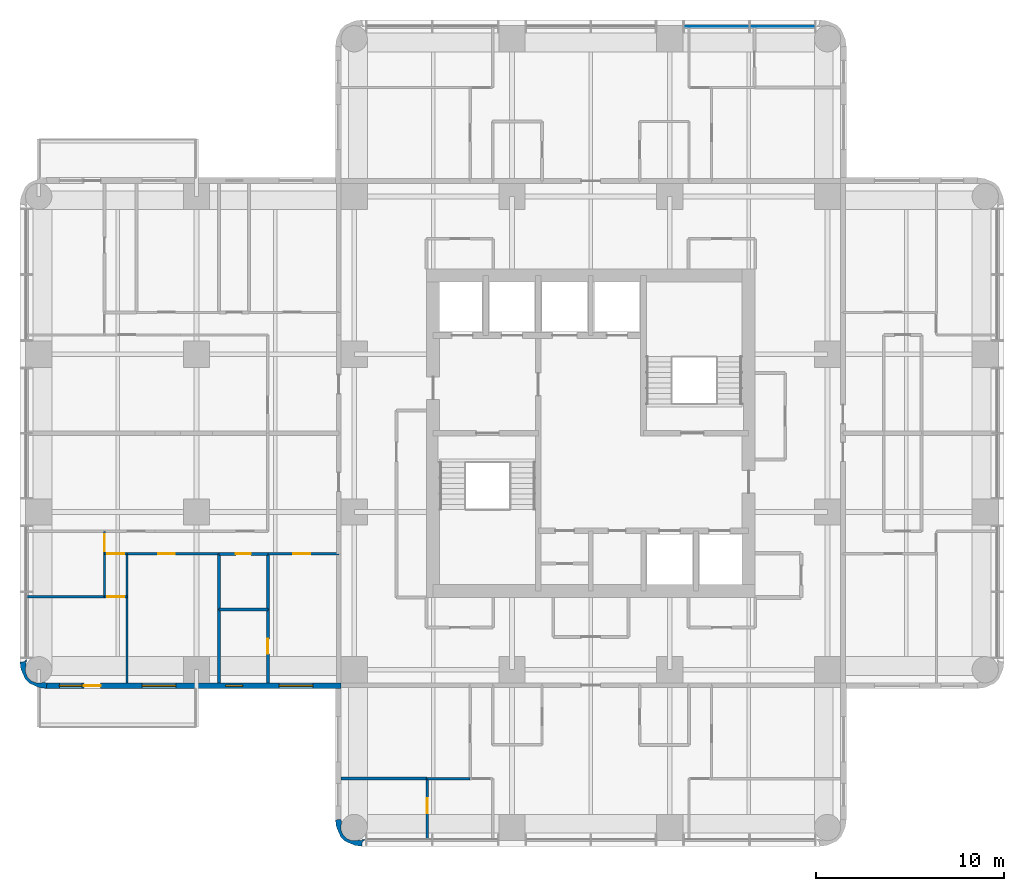
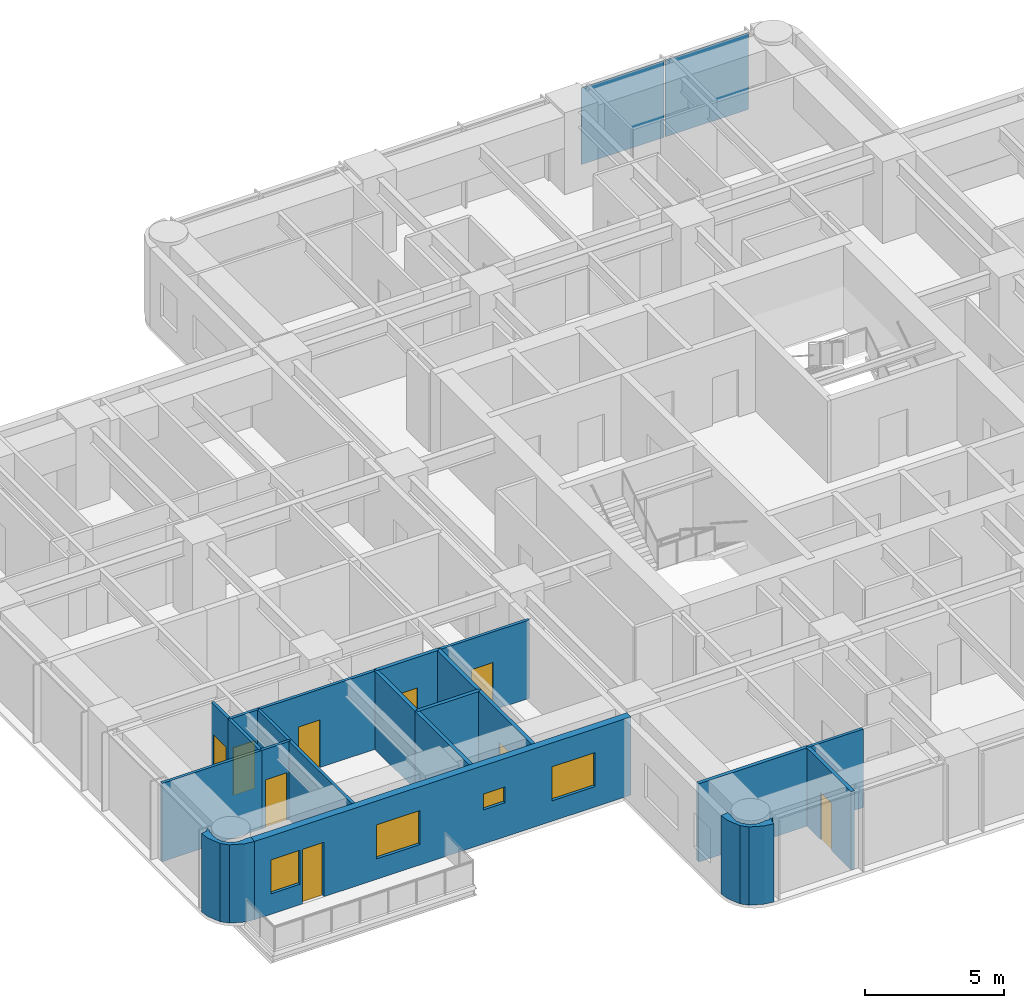
# One storey, part 4 of 11: 21 walls, 9 doors, 4 windows, 2 plates, 13 openings, 1 element without a shape of its own.
"""IFC4 building model written with IfcOpenShell, lengths in metres."""

from ifc_helpers import new_model, si_unit, direction, frame, frame_2d, origin, origin_2d, place, context, subcontext, project, spatial, polyline, rectangle, outline, extrude, material, layer, layer_set, type_object, element, fill, aggregate, save


model = new_model("IFC4")

# Units and contexts
model_context = context("Model", 3, precision=1e-05, world=origin(), true_north=direction((0.0, 1.0)))
body_context = subcontext(model_context, "Body", "Model", "MODEL_VIEW")
ifc_project = project(units=[si_unit("LENGTHUNIT", "METRE"), si_unit("AREAUNIT", "SQUARE_METRE"), si_unit("VOLUMEUNIT", "CUBIC_METRE"), si_unit("PLANEANGLEUNIT", "RADIAN"), si_unit("MASSUNIT", "GRAM", prefix="KILO")], contexts=[model_context])

# Site, building, storey
site_placement = place(None, origin())
site = spatial("IfcSite", under=ifc_project, at=site_placement, CompositionType="ELEMENT")
building_placement = place(site_placement, origin())
building = spatial("IfcBuilding", under=site, at=building_placement, Name="Torre Alcanfor", CompositionType="ELEMENT")
storey_placement = place(building_placement, frame((0.0, 0.0, 197.699951171875)))
storey = spatial("IfcBuildingStorey", under=building, at=storey_placement, Name="L51", CompositionType="ELEMENT", Elevation=197.699951171875)

# Curtain wall, plates
ifc_material_1 = material(Name="Aluminium and glass", Category="aluminium")
curtain_wall_type = type_object("IfcCurtainWallType", Name="CW-A unitised apartment glazing with vertical FIN", PredefinedType="NOTDEFINED", material=ifc_material_1)
curtain_wall_placement = place(storey_placement, origin())
curtain_wall = element("IfcCurtainWall", 1, at=curtain_wall_placement, inside=storey, type_object=curtain_wall_type, Name="Curtain wall CW-A L51 11", PredefinedType="NOTDEFINED")
ifc_material_2 = material(Name="Glass", Category="glass")
ifc_layer_1 = layer(ifc_material_2, 0.028076171875)
ifc_layer_set_1 = layer_set([ifc_layer_1], Name="CW-A clear double glazed unit")
plate_type = type_object("IfcPlateType", Name="CW-A clear double glazed unit", PredefinedType="CURTAIN_PANEL", material=ifc_layer_set_1)
plate_1_placement = place(storey_placement, frame((39.60107421875, 51.050048828125, 0.0), z_axis=(0.0, 0.0, 1.0), x_axis=(-1.0, 0.0, 0.0)))
plate_1 = element("IfcPlate", 2, at=plate_1_placement, type_object=plate_type, Name="CW-A panel 1.1.1", PredefinedType="CURTAIN_PANEL", context=body_context, shape_type="SweptSolid", body=[
    extrude(rectangle(XDim=3.444091796875, YDim=0.028076171875, at=origin_2d()), origin(), (0.0, 0.0, 1.0), 3.385009765625),
])
plate_2_placement = place(storey_placement, frame((36.092041015625, 51.050048828125, 0.0), z_axis=(0.0, 0.0, 1.0), x_axis=(-1.0, 0.0, 0.0)))
plate_2 = element("IfcPlate", 3, at=plate_2_placement, type_object=plate_type, Name="CW-A panel 1.2.1", PredefinedType="CURTAIN_PANEL", context=body_context, shape_type="SweptSolid", body=[
    extrude(rectangle(XDim=3.444091796875, YDim=0.028076171875, at=origin_2d()), origin(), (0.0, 0.0, 1.0), 3.385009765625),
])
aggregate(curtain_wall, [plate_1, plate_2])

# Wall
ifc_material_3 = material(Name="Gypsum board on steel studs", Category="steel")
ifc_layer_2 = layer(ifc_material_3, 0.1201171875)
ifc_layer_set_2 = layer_set([ifc_layer_2], Name="Apartment partition 120")
wall_type_1 = type_object("IfcWallType", Name="Apartment partition 120", PredefinedType="PARTITIONING", material=ifc_layer_set_2)
wall_1_placement = place(storey_placement, frame((20.68603515625, 11.0, 0.0), z_axis=(0.0, 0.0, 1.0), x_axis=(1.0, 0.0, 0.0)))
element("IfcWall", 4, at=wall_1_placement, inside=storey, type_object=wall_type_1, Name="Partition L51-SX-BED3 / L51-SX-BED1", PredefinedType="PARTITIONING", context=body_context, shape_type="SweptSolid", body=[
    extrude(rectangle(XDim=2.284912109375, YDim=0.1201171875, at=frame_2d((1.142578125, 0.0))), origin(), (0.0, 0.0, 1.0), 3.449951171875),
])

# Wall, opening, door
wall_2_placement = place(storey_placement, frame((12.199951171875, 22.970947265625, 0.0), z_axis=(0.0, 0.0, 1.0), x_axis=(1.0, 0.0, 0.0)))
wall_2 = element("IfcWall", 5, at=wall_2_placement, inside=storey, type_object=wall_type_1, Name="Partition L51-W1-HALL / L51-W1-SERV", PredefinedType="PARTITIONING", context=body_context, shape_type="SweptSolid", body=[
    extrude(rectangle(XDim=3.775146484375, YDim=0.1201171875, at=frame_2d((1.8876953125, 0.0))), origin(), (0.0, 0.0, 1.0), 3.449951171875),
])
opening_1_placement = place(wall_2_placement, frame((1.35009765625, 0.0, 0.0)))
opening_1 = element("IfcOpeningElement", 6, at=opening_1_placement, cuts=wall_2, Name="Opening D-R1", PredefinedType="OPENING", context=body_context, shape_type="SweptSolid", body=[
    extrude(rectangle(XDim=0.89990234375, YDim=2.10009765625, at=frame_2d((0.449951171875, 1.050048828125))), frame((0.0, 0.070068359375, 0.0), z_axis=(0.0, -1.0, 0.0), x_axis=(1.0, 0.0, 0.0)), (0.0, 0.0, 1.0), 0.14013671875),
])
ifc_material_4 = material(Name="Timber", Category="wood")
door_type_1 = type_object("IfcDoorType", Name="Internal door 900x2100", OperationType="SINGLE_SWING_LEFT", PredefinedType="DOOR", material=ifc_material_4)
door_1_placement = place(opening_1_placement, frame((0.89990234375, 0.0, 0.0), z_axis=(0.0, 0.0, 1.0), x_axis=(-1.0, 0.0, 0.0)))
door_1 = element("IfcDoor", 7, at=door_1_placement, inside=storey, type_object=door_type_1, Name="Door L51-W1 serv", OperationType="SINGLE_SWING_RIGHT", OverallHeight=2.10009765625, OverallWidth=0.89990234375, PredefinedType="DOOR", context=body_context, shape_type="SweptSolid", body=[
    extrude(rectangle(XDim=0.89990234375, YDim=2.10009765625, at=frame_2d((0.449951171875, 1.050048828125))), frame((0.0, 0.025146484375, 0.0), z_axis=(0.0, -1.0, 0.0), x_axis=(1.0, 0.0, 0.0)), (0.0, 0.0, 1.0), 0.050048828125),
])
fill(opening_1, door_1)

wall_3_placement = place(storey_placement, frame((4.699951171875, 22.970947265625, 0.0), z_axis=(0.0, 0.0, 1.0), x_axis=(1.0, 0.0, 0.0)))
wall_3 = element("IfcWall", 8, at=wall_3_placement, inside=storey, type_object=wall_type_1, Name="Partition L51-W1-HALL / L51-W1-BED3", PredefinedType="PARTITIONING", context=body_context, shape_type="SweptSolid", body=[
    extrude(rectangle(XDim=4.900146484375, YDim=0.1201171875, at=frame_2d((2.4501953125, 0.0))), origin(), (0.0, 0.0, 1.0), 3.449951171875),
])
opening_2_placement = place(wall_3_placement, frame((1.64990234375, 0.0, 0.0)))
opening_2 = element("IfcOpeningElement", 9, at=opening_2_placement, cuts=wall_3, Name="Opening D-R1", PredefinedType="OPENING", context=body_context, shape_type="SweptSolid", body=[
    extrude(rectangle(XDim=0.89990234375, YDim=2.10009765625, at=frame_2d((0.449951171875, 1.050048828125))), frame((0.0, 0.070068359375, 0.0), z_axis=(0.0, -1.0, 0.0), x_axis=(1.0, 0.0, 0.0)), (0.0, 0.0, 1.0), 0.14013671875),
])
door_2_placement = place(opening_2_placement, frame((0.89990234375, 0.0, 0.0), z_axis=(0.0, 0.0, 1.0), x_axis=(-1.0, 0.0, 0.0)))
door_2 = element("IfcDoor", 10, at=door_2_placement, inside=storey, type_object=door_type_1, Name="Door L51-W1 bed3", OperationType="SINGLE_SWING_RIGHT", OverallHeight=2.10009765625, OverallWidth=0.89990234375, PredefinedType="DOOR", context=body_context, shape_type="SweptSolid", body=[
    extrude(rectangle(XDim=0.89990234375, YDim=2.10009765625, at=frame_2d((0.449951171875, 1.050048828125))), frame((0.0, 0.025146484375, 0.0), z_axis=(0.0, -1.0, 0.0), x_axis=(1.0, 0.0, 0.0)), (0.0, 0.0, 1.0), 0.050048828125),
])
fill(opening_2, door_2)

wall_4_placement = place(storey_placement, frame((3.5, 22.970947265625, 0.0), z_axis=(0.0, 0.0, 1.0), x_axis=(1.0, 0.0, 0.0)))
wall_4 = element("IfcWall", 11, at=wall_4_placement, inside=storey, type_object=wall_type_1, Name="Partition L51-W1-HALL / L51-W1-VEST", PredefinedType="PARTITIONING", context=body_context, shape_type="SweptSolid", body=[
    extrude(rectangle(XDim=1.199951171875, YDim=0.1201171875, at=frame_2d((0.60009765625, 0.0))), origin(), (0.0, 0.0, 1.0), 3.449951171875),
])
opening_3_placement = place(wall_4_placement, frame((0.14990234375, 0.0, 0.0)))
opening_3 = element("IfcOpeningElement", 12, at=opening_3_placement, cuts=wall_4, Name="Opening D-R1", PredefinedType="OPENING", context=body_context, shape_type="SweptSolid", body=[
    extrude(rectangle(XDim=0.89990234375, YDim=2.10009765625, at=frame_2d((0.449951171875, 1.050048828125))), frame((0.0, 0.070068359375, 0.0), z_axis=(0.0, -1.0, 0.0), x_axis=(1.0, 0.0, 0.0)), (0.0, 0.0, 1.0), 0.14013671875),
])
door_3_placement = place(opening_3_placement, frame((0.89990234375, 0.0, 0.0), z_axis=(0.0, 0.0, 1.0), x_axis=(-1.0, 0.0, 0.0)))
door_3 = element("IfcDoor", 13, at=door_3_placement, inside=storey, type_object=door_type_1, Name="Door L51-W1 vest", OperationType="SINGLE_SWING_RIGHT", OverallHeight=2.10009765625, OverallWidth=0.89990234375, PredefinedType="DOOR", context=body_context, shape_type="SweptSolid", body=[
    extrude(rectangle(XDim=0.89990234375, YDim=2.10009765625, at=frame_2d((0.449951171875, 1.050048828125))), frame((0.0, 0.025146484375, 0.0), z_axis=(0.0, -1.0, 0.0), x_axis=(1.0, 0.0, 0.0)), (0.0, 0.0, 1.0), 0.050048828125),
])
fill(opening_3, door_3)

wall_5_placement = place(storey_placement, frame((3.5, 24.1708984375, 0.0), z_axis=(0.0, 0.0, 1.0), x_axis=(0.0, -1.0, 0.0)))
wall_5 = element("IfcWall", 14, at=wall_5_placement, inside=storey, type_object=wall_type_1, Name="Partition L51-W1-HALL / L51-W1-BED2", PredefinedType="PARTITIONING", context=body_context, shape_type="SweptSolid", body=[
    extrude(rectangle(XDim=1.199951171875, YDim=0.1201171875, at=frame_2d((0.60009765625, 0.0))), origin(), (0.0, 0.0, 1.0), 3.449951171875),
])
opening_4_placement = place(wall_5_placement, frame((0.15087890625, 0.0, 0.0)))
opening_4 = element("IfcOpeningElement", 15, at=opening_4_placement, cuts=wall_5, Name="Opening D-R1", PredefinedType="OPENING", context=body_context, shape_type="SweptSolid", body=[
    extrude(rectangle(XDim=0.89990234375, YDim=2.10009765625, at=frame_2d((0.449951171875, 1.050048828125))), frame((0.0, 0.070068359375, 0.0), z_axis=(0.0, -1.0, 0.0), x_axis=(1.0, 0.0, 0.0)), (0.0, 0.0, 1.0), 0.14013671875),
])
door_4_placement = place(opening_4_placement, frame((0.89990234375, 0.0, 0.0), z_axis=(0.0, 0.0, 1.0), x_axis=(-1.0, 0.0, 0.0)))
door_4 = element("IfcDoor", 16, at=door_4_placement, inside=storey, type_object=door_type_1, Name="Door L51-W1 bed2", OperationType="SINGLE_SWING_RIGHT", OverallHeight=2.10009765625, OverallWidth=0.89990234375, PredefinedType="DOOR", context=body_context, shape_type="SweptSolid", body=[
    extrude(rectangle(XDim=0.89990234375, YDim=2.10009765625, at=frame_2d((0.449951171875, 1.050048828125))), frame((0.0, 0.025146484375, 0.0), z_axis=(0.0, -1.0, 0.0), x_axis=(1.0, 0.0, 0.0)), (0.0, 0.0, 1.0), 0.050048828125),
])
fill(opening_4, door_4)

# Walls
wall_6_placement = place(storey_placement, frame((4.699951171875, 22.970947265625, 0.0), z_axis=(0.0, 0.0, 1.0), x_axis=(0.0, -1.0, 0.0)))
element("IfcWall", 17, at=wall_6_placement, inside=storey, type_object=wall_type_1, Name="Partition L51-W1-BED3 / L51-W1-VEST", PredefinedType="PARTITIONING", context=body_context, shape_type="SweptSolid", body=[
    extrude(rectangle(XDim=2.284912109375, YDim=0.1201171875, at=frame_2d((1.142578125, 0.0))), origin(), (0.0, 0.0, 1.0), 3.449951171875),
])
wall_7_placement = place(storey_placement, frame((4.699951171875, 20.68603515625, 0.0), z_axis=(0.0, 0.0, 1.0), x_axis=(0.0, -1.0, 0.0)))
element("IfcWall", 18, at=wall_7_placement, inside=storey, type_object=wall_type_1, Name="Partition L51-W1-BED3 / L51-W1-MASTER", PredefinedType="PARTITIONING", context=body_context, shape_type="SweptSolid", body=[
    extrude(rectangle(XDim=4.5859375, YDim=0.1201171875, at=frame_2d((2.29296875, 0.0))), origin(), (0.0, 0.0, 1.0), 3.449951171875),
])
wall_8_placement = place(storey_placement, frame((3.5, 22.970947265625, 0.0), z_axis=(0.0, 0.0, 1.0), x_axis=(0.0, -1.0, 0.0)))
element("IfcWall", 19, at=wall_8_placement, inside=storey, type_object=wall_type_1, Name="Partition L51-W1-VEST / L51-W1-BED2", PredefinedType="PARTITIONING", context=body_context, shape_type="SweptSolid", body=[
    extrude(rectangle(XDim=2.284912109375, YDim=0.1201171875, at=frame_2d((1.142578125, 0.0))), origin(), (0.0, 0.0, 1.0), 3.449951171875),
])

# Wall, opening, door
wall_9_placement = place(storey_placement, frame((3.5, 20.68603515625, 0.0), z_axis=(0.0, 0.0, 1.0), x_axis=(1.0, 0.0, 0.0)))
wall_9 = element("IfcWall", 20, at=wall_9_placement, inside=storey, type_object=wall_type_1, Name="Partition L51-W1-VEST / L51-W1-MASTER", PredefinedType="PARTITIONING", context=body_context, shape_type="SweptSolid", body=[
    extrude(rectangle(XDim=1.199951171875, YDim=0.1201171875, at=frame_2d((0.60009765625, 0.0))), origin(), (0.0, 0.0, 1.0), 3.449951171875),
])
opening_5_placement = place(wall_9_placement, frame((0.14990234375, 0.0, 0.0)))
opening_5 = element("IfcOpeningElement", 21, at=opening_5_placement, cuts=wall_9, Name="Opening D-R1", PredefinedType="OPENING", context=body_context, shape_type="SweptSolid", body=[
    extrude(rectangle(XDim=0.89990234375, YDim=2.10009765625, at=frame_2d((0.449951171875, 1.050048828125))), frame((0.0, 0.070068359375, 0.0), z_axis=(0.0, -1.0, 0.0), x_axis=(1.0, 0.0, 0.0)), (0.0, 0.0, 1.0), 0.14013671875),
])
door_5_placement = place(opening_5_placement, origin())
door_5 = element("IfcDoor", 22, at=door_5_placement, inside=storey, type_object=door_type_1, Name="Door L51-W1 master", OperationType="SINGLE_SWING_LEFT", OverallHeight=2.10009765625, OverallWidth=0.89990234375, PredefinedType="DOOR", context=body_context, shape_type="SweptSolid", body=[
    extrude(rectangle(XDim=0.89990234375, YDim=2.10009765625, at=frame_2d((0.449951171875, 1.050048828125))), frame((0.0, 0.02490234375, 0.0), z_axis=(0.0, -1.0, 0.0), x_axis=(1.0, 0.0, 0.0)), (0.0, 0.0, 1.0), 0.050048828125),
])
fill(opening_5, door_5)

# Wall
wall_10_placement = place(storey_placement, frame((-0.64990234375, 20.68603515625, 0.0), z_axis=(0.0, 0.0, 1.0), x_axis=(1.0, 0.0, 0.0)))
element("IfcWall", 23, at=wall_10_placement, inside=storey, type_object=wall_type_1, Name="Partition L51-W1-BED2 / L51-W1-MASTER", PredefinedType="PARTITIONING", context=body_context, shape_type="SweptSolid", body=[
    extrude(rectangle(XDim=4.14990234375, YDim=0.1201171875, at=frame_2d((2.074951171875, 0.0))), origin(), (0.0, 0.0, 1.0), 3.449951171875),
])

# Wall, openings, door, windows
ifc_material_5 = material(Name="Limestone cladding", Category="masonry")
ifc_layer_3 = layer(ifc_material_5, 0.0400390625, Name="Facing")
ifc_material_6 = material(Name="Ventilated air cavity")
ifc_layer_4 = layer(ifc_material_6, 0.02001953125, ventilated=True, Name="Ventilated joint")
ifc_material_7 = material(Name="Mineral wool insulation", Category="insulation")
ifc_layer_5 = layer(ifc_material_7, 0.10009765625, Name="Insulation")
ifc_material_8 = material(Name="Concrete f'c 35 MPa", Category="concrete")
ifc_layer_6 = layer(ifc_material_8, 0.139892578125, Name="Backing")
ifc_layer_set_3 = layer_set([ifc_layer_3, ifc_layer_4, ifc_layer_5, ifc_layer_6], Name="External wall stone-clad 300")
wall_type_2 = type_object("IfcWallType", Name="External wall stone-clad 300", PredefinedType="SOLIDWALL", material=ifc_layer_set_3)
wall_11_placement = place(storey_placement, frame((0.39990234375, 15.949951171875, 0.0), z_axis=(0.0, 0.0, 1.0), x_axis=(1.0, 0.0, 0.0)))
wall_11 = element("IfcWall", 24, at=wall_11_placement, inside=storey, type_object=wall_type_2, Name="External wall L51 3", PredefinedType="SOLIDWALL", context=body_context, shape_type="SweptSolid", body=[
    extrude(rectangle(XDim=15.7001953125, YDim=0.300048828125, at=frame_2d((7.85009765625, 0.0))), origin(), (0.0, 0.0, 1.0), 3.449951171875),
])
opening_6_placement = place(wall_11_placement, frame((12.39990234375, 0.0, 0.89990234375)))
opening_6 = element("IfcOpeningElement", 25, at=opening_6_placement, cuts=wall_11, Name="Opening W2", PredefinedType="OPENING", context=body_context, shape_type="SweptSolid", body=[
    extrude(rectangle(XDim=1.800048828125, YDim=1.5, at=frame_2d((0.89990234375, 0.75))), frame((0.0, 0.159912109375, 0.0), z_axis=(0.0, -1.0, 0.0), x_axis=(1.0, 0.0, 0.0)), (0.0, 0.0, 1.0), 0.320068359375),
])
opening_7_placement = place(wall_11_placement, frame((9.550048828125, 0.0, 1.5)))
opening_7 = element("IfcOpeningElement", 26, at=opening_7_placement, cuts=wall_11, Name="Opening W3", PredefinedType="OPENING", context=body_context, shape_type="SweptSolid", body=[
    extrude(rectangle(XDim=0.89990234375, YDim=0.699951171875, at=frame_2d((0.449951171875, 0.35009765625))), frame((0.0, 0.159912109375, 0.0), z_axis=(0.0, -1.0, 0.0), x_axis=(1.0, 0.0, 0.0)), (0.0, 0.0, 1.0), 0.320068359375),
])
opening_8_placement = place(wall_11_placement, frame((5.10009765625, 0.0, 0.89990234375)))
opening_8 = element("IfcOpeningElement", 27, at=opening_8_placement, cuts=wall_11, Name="Opening W2", PredefinedType="OPENING", context=body_context, shape_type="SweptSolid", body=[
    extrude(rectangle(XDim=1.800048828125, YDim=1.5, at=frame_2d((0.89990234375, 0.75))), frame((0.0, 0.159912109375, 0.0), z_axis=(0.0, -1.0, 0.0), x_axis=(1.0, 0.0, 0.0)), (0.0, 0.0, 1.0), 0.320068359375),
])
opening_9_placement = place(wall_11_placement, frame((2.0, 0.0, 0.0)))
opening_9 = element("IfcOpeningElement", 28, at=opening_9_placement, cuts=wall_11, Name="Opening D-B1", PredefinedType="OPENING", context=body_context, shape_type="SweptSolid", body=[
    extrude(rectangle(XDim=0.89990234375, YDim=2.39990234375, at=frame_2d((0.449951171875, 1.199951171875))), frame((0.0, 0.159912109375, 0.0), z_axis=(0.0, -1.0, 0.0), x_axis=(1.0, 0.0, 0.0)), (0.0, 0.0, 1.0), 0.320068359375),
])
opening_10_placement = place(wall_11_placement, frame((0.699951171875, 0.0, 0.89990234375)))
opening_10 = element("IfcOpeningElement", 29, at=opening_10_placement, cuts=wall_11, Name="Opening W4", PredefinedType="OPENING", context=body_context, shape_type="SweptSolid", body=[
    extrude(rectangle(XDim=1.199951171875, YDim=1.5, at=frame_2d((0.60009765625, 0.75))), frame((0.0, 0.159912109375, 0.0), z_axis=(0.0, -1.0, 0.0), x_axis=(1.0, 0.0, 0.0)), (0.0, 0.0, 1.0), 0.320068359375),
])
ifc_material_9 = material(Name="Aluminium and glass", Category="aluminium")
door_type_2 = type_object("IfcDoorType", Name="Balcony door glazed 900x2400", OperationType="SINGLE_SWING_LEFT", PredefinedType="DOOR", material=ifc_material_9)
door_6_placement = place(opening_9_placement, origin())
door_6 = element("IfcDoor", 30, at=door_6_placement, inside=storey, type_object=door_type_2, Name="Balcony door L51-W1", OperationType="SINGLE_SWING_RIGHT", OverallHeight=2.39990234375, OverallWidth=0.89990234375, PredefinedType="DOOR", context=body_context, shape_type="SweptSolid", body=[
    extrude(rectangle(XDim=0.89990234375, YDim=2.39990234375, at=frame_2d((0.449951171875, 1.199951171875))), frame((0.0, 0.02490234375, 0.0), z_axis=(0.0, -1.0, 0.0), x_axis=(1.0, 0.0, 0.0)), (0.0, 0.0, 1.0), 0.050048828125),
])
fill(opening_9, door_6)
ifc_material_10 = material(Name="Aluminium frame with clear double glazing", Category="aluminium")
window_type_1 = type_object("IfcWindowType", Name="Window bathroom 900x700", PartitioningType="SINGLE_PANEL", PredefinedType="WINDOW", material=ifc_material_10)
window_1_placement = place(opening_7_placement, origin())
window_1 = element("IfcWindow", 31, at=window_1_placement, inside=storey, type_object=window_type_1, Name="Window W3 L51-W1", OverallHeight=0.699951171875, OverallWidth=0.89990234375, PartitioningType="SINGLE_PANEL", PredefinedType="WINDOW", context=body_context, shape_type="SweptSolid", body=[
    extrude(rectangle(XDim=0.89990234375, YDim=0.699951171875, at=frame_2d((0.449951171875, 0.35009765625))), frame((0.0, 0.030029296875, 0.0), z_axis=(0.0, -1.0, 0.0), x_axis=(1.0, 0.0, 0.0)), (0.0, 0.0, 1.0), 0.06005859375),
])
fill(opening_7, window_1)
ifc_material_11 = material(Name="Aluminium frame with clear double glazing", Category="aluminium")
window_type_2 = type_object("IfcWindowType", Name="Window bedroom 1200x1500", PartitioningType="SINGLE_PANEL", PredefinedType="WINDOW", material=ifc_material_11)
window_2_placement = place(opening_10_placement, origin())
window_2 = element("IfcWindow", 32, at=window_2_placement, inside=storey, type_object=window_type_2, Name="Window W4 L51-W1", OverallHeight=1.5, OverallWidth=1.199951171875, PartitioningType="SINGLE_PANEL", PredefinedType="WINDOW", context=body_context, shape_type="SweptSolid", body=[
    extrude(rectangle(XDim=1.199951171875, YDim=1.5, at=frame_2d((0.60009765625, 0.75))), frame((0.0, 0.030029296875, 0.0), z_axis=(0.0, -1.0, 0.0), x_axis=(1.0, 0.0, 0.0)), (0.0, 0.0, 1.0), 0.06005859375),
])
fill(opening_10, window_2)
ifc_material_12 = material(Name="Aluminium frame with clear double glazing", Category="aluminium")
window_type_3 = type_object("IfcWindowType", Name="Window bedroom 1800x1500", PartitioningType="SINGLE_PANEL", PredefinedType="WINDOW", material=ifc_material_12)
window_3_placement = place(opening_6_placement, origin())
window_3 = element("IfcWindow", 33, at=window_3_placement, inside=storey, type_object=window_type_3, Name="Window W2 L51-W1", OverallHeight=1.5, OverallWidth=1.800048828125, PartitioningType="SINGLE_PANEL", PredefinedType="WINDOW", context=body_context, shape_type="SweptSolid", body=[
    extrude(rectangle(XDim=1.800048828125, YDim=1.5, at=frame_2d((0.89990234375, 0.75))), frame((0.0, 0.030029296875, 0.0), z_axis=(0.0, -1.0, 0.0), x_axis=(1.0, 0.0, 0.0)), (0.0, 0.0, 1.0), 0.06005859375),
])
fill(opening_6, window_3)
window_4_placement = place(opening_8_placement, origin())
window_4 = element("IfcWindow", 34, at=window_4_placement, inside=storey, type_object=window_type_3, Name="Window W2 L51-W1", OverallHeight=1.5, OverallWidth=1.800048828125, PartitioningType="SINGLE_PANEL", PredefinedType="WINDOW", context=body_context, shape_type="SweptSolid", body=[
    extrude(rectangle(XDim=1.800048828125, YDim=1.5, at=frame_2d((0.89990234375, 0.75))), frame((0.0, 0.030029296875, 0.0), z_axis=(0.0, -1.0, 0.0), x_axis=(1.0, 0.0, 0.0)), (0.0, 0.0, 1.0), 0.06005859375),
])
fill(opening_8, window_4)

# Walls
ifc_layer_7 = layer(ifc_material_5, 0.0400390625, Name="Facing")
ifc_layer_8 = layer(ifc_material_6, 0.02001953125, ventilated=True, Name="Ventilated joint")
ifc_layer_9 = layer(ifc_material_7, 0.10009765625, Name="Insulation")
ifc_layer_10 = layer(ifc_material_8, 0.139892578125, Name="Backing")
ifc_layer_set_4 = layer_set([ifc_layer_7, ifc_layer_8, ifc_layer_9, ifc_layer_10], Name="Rounded corner pier stone-clad 300")
wall_type_3 = type_object("IfcWallType", Name="Rounded corner pier stone-clad 300", PredefinedType="SOLIDWALL", material=ifc_layer_set_4)
wall_12_placement = place(storey_placement, frame((-0.58815184, 17.312325495, 0.0), z_axis=(0.0, 0.0, 1.0), x_axis=(-0.898030234854, -0.439933741929, 0.0)))
element("IfcWall", 35, at=wall_12_placement, inside=storey, type_object=wall_type_3, Name="Corner pier L51 14", PredefinedType="SOLIDWALL", context=body_context, shape_type="SweptSolid", body=[
    extrude(outline(polyline([(-0.22200099779214466, 1.7927485446039917), (-0.3895203988851006, 1.5406953482066268), (-0.3717615001977944, 1.5319954866108696), (-0.1946893371505769, 1.4145296087243977), (-0.1196378565013686, 1.4095707271395082), (0.13074069042336733, 1.2869134192092004), (0.31532782000916126, 1.0776826467218847), (0.4055826710323692, 0.8140749979758074), (0.38797260783771476, 0.5356152877148042), (0.26531529990740693, 0.28523674079006817), (0.2089410932617622, 0.23564484500123395), (0.1476439801012907, 0.052805298357783616), (0.1048910758540722, 0.07374940960682917), (0.03174779503048235, -0.07555688676422617), (0.13758283616273645, -0.03932073839803114), (0.18192415361672865, -0.0004176855725517292), (0.4192893563182328, -0.08027036234769044), (0.5359265089611867, 0.2660343125058281), (0.55884082549336, 0.63079452952945), (0.5546362328412097, 0.6510690852705474), (0.5662389797265355, 0.8356887018617073), (0.45562482097298596, 1.1592927954286232), (0.3331931039366845, 1.297838781078767), (0.32408874086174466, 1.3164357373584665), (0.08241545456328281, 1.5906055834666009), (-0.22200099779214466, 1.7927485446039917)])), origin(), (0.0, 0.0, 1.0), 3.449951171875),
])
wall_13_placement = place(storey_placement, frame((16.075788181, 8.689684728, 0.0), z_axis=(0.0, 0.0, 1.0), x_axis=(-0.439933741929, -0.898030234854, 0.0)))
element("IfcWall", 36, at=wall_13_placement, inside=storey, type_object=wall_type_3, Name="Corner pier L51 15", PredefinedType="SOLIDWALL", context=body_context, shape_type="SweptSolid", body=[
    extrude(outline(polyline([(0.6637063463257242, 1.5769511452868783), (0.42612189796141386, 1.4969910628130267), (0.381999826170228, 1.536001521337219), (0.2761647850379738, 1.5722376697034142), (0.3493080658615637, 1.4229313733323588), (0.391841724445976, 1.4437680788826912), (0.45335808326925375, 1.261035937937954), (0.5097322899148984, 1.2114440421491197), (0.6323895978452062, 0.9610654952243838), (0.6499996610398608, 0.6826057849633805), (0.5595255643538466, 0.4188907305185901), (0.37515768043085884, 0.20976736372998736), (0.1247791335061229, 0.08711005579967954), (0.04972765285691469, 0.0821511742147902), (-0.1273445101903028, -0.035314703671681595), (-0.14532265454041515, -0.04412197096615204), (0.02219674655254064, -0.2961751673635169), (0.3266131989079681, -0.09403220622612604), (0.56828648520643, 0.18013763988200826), (0.5776100939441761, 0.19884200186042086), (0.6998225653176713, 0.33728058181185155), (0.810655969734027, 0.6609920810774806), (0.7990532228487013, 0.8456116976686404), (0.8030385698380452, 0.8657788477110249), (0.7801242533058719, 1.2305390647346468), (0.6637063463257242, 1.5769511452868783)])), origin(), (0.0, 0.0, 1.0), 3.449951171875),
])
ifc_material_13 = material(Name="Cement board on steel studs", Category="steel")
ifc_layer_11 = layer(ifc_material_13, 0.14990234375)
ifc_layer_set_5 = layer_set([ifc_layer_11], Name="Wet area partition 150")
wall_type_4 = type_object("IfcWallType", Name="Wet area partition 150", PredefinedType="PARTITIONING", material=ifc_layer_set_5)
wall_14_placement = place(storey_placement, frame((16.10009765625, 11.0, 0.0), z_axis=(0.0, 0.0, 1.0), x_axis=(1.0, 0.0, 0.0)))
element("IfcWall", 37, at=wall_14_placement, inside=storey, type_object=wall_type_4, Name="Partition L51-SX-BED3 / L51-SX-BATH1", PredefinedType="PARTITIONING", context=body_context, shape_type="SweptSolid", body=[
    extrude(rectangle(XDim=4.5859375, YDim=0.14990234375, at=frame_2d((2.29296875, 0.0))), origin(), (0.0, 0.0, 1.0), 3.449951171875),
])

# Wall, opening, door
wall_15_placement = place(storey_placement, frame((20.68603515625, 7.75, 0.0), z_axis=(0.0, 0.0, 1.0), x_axis=(0.0, 1.0, 0.0)))
wall_15 = element("IfcWall", 38, at=wall_15_placement, inside=storey, type_object=wall_type_4, Name="Partition L51-SX-BATH1 / L51-SX-BED1", PredefinedType="PARTITIONING", context=body_context, shape_type="SweptSolid", body=[
    extrude(rectangle(XDim=3.25, YDim=0.14990234375, at=frame_2d((1.625, 0.0))), origin(), (0.0, 0.0, 1.0), 3.449951171875),
])
opening_11_placement = place(wall_15_placement, frame((1.39990234375, 0.0, 0.0)))
opening_11 = element("IfcOpeningElement", 39, at=opening_11_placement, cuts=wall_15, Name="Opening D-R2", PredefinedType="OPENING", context=body_context, shape_type="SweptSolid", body=[
    extrude(rectangle(XDim=0.800048828125, YDim=2.10009765625, at=frame_2d((0.39990234375, 1.050048828125))), frame((0.0, 0.0849609375, 0.0), z_axis=(0.0, -1.0, 0.0), x_axis=(1.0, 0.0, 0.0)), (0.0, 0.0, 1.0), 0.169921875),
])
ifc_material_14 = material(Name="Timber", Category="wood")
door_type_3 = type_object("IfcDoorType", Name="Bathroom door 800x2100", OperationType="SINGLE_SWING_LEFT", PredefinedType="DOOR", material=ifc_material_14)
door_7_placement = place(opening_11_placement, frame((0.800048828125, 0.0, 0.0), z_axis=(0.0, 0.0, 1.0), x_axis=(-1.0, 0.0, 0.0)))
door_7 = element("IfcDoor", 40, at=door_7_placement, inside=storey, type_object=door_type_3, Name="Door L51-SX bath1", OperationType="SINGLE_SWING_LEFT", OverallHeight=2.10009765625, OverallWidth=0.800048828125, PredefinedType="DOOR", context=body_context, shape_type="SweptSolid", body=[
    extrude(rectangle(XDim=0.800048828125, YDim=2.10009765625, at=frame_2d((0.400146484375, 1.050048828125))), frame((0.0, 0.025146484375, 0.0), z_axis=(0.0, -1.0, 0.0), x_axis=(1.0, 0.0, 0.0)), (0.0, 0.0, 1.0), 0.050048828125),
])
fill(opening_11, door_7)

wall_16_placement = place(storey_placement, frame((9.60009765625, 22.970947265625, 0.0), z_axis=(0.0, 0.0, 1.0), x_axis=(1.0, 0.0, 0.0)))
wall_16 = element("IfcWall", 41, at=wall_16_placement, inside=storey, type_object=wall_type_4, Name="Partition L51-W1-HALL / L51-W1-BATH1", PredefinedType="PARTITIONING", context=body_context, shape_type="SweptSolid", body=[
    extrude(rectangle(XDim=2.599853515625, YDim=0.14990234375, at=frame_2d((1.2998046875, 0.0))), origin(), (0.0, 0.0, 1.0), 3.449951171875),
])
opening_12_placement = place(wall_16_placement, frame((0.89990234375, 0.0, 0.0)))
opening_12 = element("IfcOpeningElement", 42, at=opening_12_placement, cuts=wall_16, Name="Opening D-R2", PredefinedType="OPENING", context=body_context, shape_type="SweptSolid", body=[
    extrude(rectangle(XDim=0.800048828125, YDim=2.10009765625, at=frame_2d((0.39990234375, 1.050048828125))), frame((0.0, 0.0849609375, 0.0), z_axis=(0.0, -1.0, 0.0), x_axis=(1.0, 0.0, 0.0)), (0.0, 0.0, 1.0), 0.169921875),
])
door_8_placement = place(opening_12_placement, frame((0.800048828125, 0.0, 0.0), z_axis=(0.0, 0.0, 1.0), x_axis=(-1.0, 0.0, 0.0)))
door_8 = element("IfcDoor", 43, at=door_8_placement, inside=storey, type_object=door_type_3, Name="Door L51-W1 bath1", OperationType="SINGLE_SWING_RIGHT", OverallHeight=2.10009765625, OverallWidth=0.800048828125, PredefinedType="DOOR", context=body_context, shape_type="SweptSolid", body=[
    extrude(rectangle(XDim=0.800048828125, YDim=2.10009765625, at=frame_2d((0.400146484375, 1.050048828125))), frame((0.0, 0.025146484375, 0.0), z_axis=(0.0, -1.0, 0.0), x_axis=(1.0, 0.0, 0.0)), (0.0, 0.0, 1.0), 0.050048828125),
])
fill(opening_12, door_8)

# Wall
wall_17_placement = place(storey_placement, frame((12.199951171875, 22.970947265625, 0.0), z_axis=(0.0, 0.0, 1.0), x_axis=(0.0, -1.0, 0.0)))
element("IfcWall", 44, at=wall_17_placement, inside=storey, type_object=wall_type_4, Name="Partition L51-W1-SERV / L51-W1-BATH1", PredefinedType="PARTITIONING", context=body_context, shape_type="SweptSolid", body=[
    extrude(rectangle(XDim=2.970947265625, YDim=0.14990234375, at=frame_2d((1.4853515625, 0.0))), origin(), (0.0, 0.0, 1.0), 3.449951171875),
])

# Wall, opening, door
wall_18_placement = place(storey_placement, frame((12.199951171875, 20.0, 0.0), z_axis=(0.0, 0.0, 1.0), x_axis=(0.0, -1.0, 0.0)))
wall_18 = element("IfcWall", 45, at=wall_18_placement, inside=storey, type_object=wall_type_4, Name="Partition L51-W1-SERV / L51-W1-SBATH", PredefinedType="PARTITIONING", context=body_context, shape_type="SweptSolid", body=[
    extrude(rectangle(XDim=3.89990234375, YDim=0.14990234375, at=frame_2d((1.949951171875, 0.0))), origin(), (0.0, 0.0, 1.0), 3.449951171875),
])
opening_13_placement = place(wall_18_placement, frame((1.550048828125, 0.0, 0.0)))
opening_13 = element("IfcOpeningElement", 46, at=opening_13_placement, cuts=wall_18, Name="Opening D-R2", PredefinedType="OPENING", context=body_context, shape_type="SweptSolid", body=[
    extrude(rectangle(XDim=0.800048828125, YDim=2.10009765625, at=frame_2d((0.39990234375, 1.050048828125))), frame((0.0, 0.0849609375, 0.0), z_axis=(0.0, -1.0, 0.0), x_axis=(1.0, 0.0, 0.0)), (0.0, 0.0, 1.0), 0.169921875),
])
door_9_placement = place(opening_13_placement, frame((0.800048828125, 0.0, 0.0), z_axis=(0.0, 0.0, 1.0), x_axis=(-1.0, 0.0, 0.0)))
door_9 = element("IfcDoor", 47, at=door_9_placement, inside=storey, type_object=door_type_3, Name="Door L51-W1 sbath", OperationType="SINGLE_SWING_RIGHT", OverallHeight=2.10009765625, OverallWidth=0.800048828125, PredefinedType="DOOR", context=body_context, shape_type="SweptSolid", body=[
    extrude(rectangle(XDim=0.800048828125, YDim=2.10009765625, at=frame_2d((0.400146484375, 1.050048828125))), frame((0.0, 0.025146484375, 0.0), z_axis=(0.0, -1.0, 0.0), x_axis=(1.0, 0.0, 0.0)), (0.0, 0.0, 1.0), 0.050048828125),
])
fill(opening_13, door_9)

# Walls
wall_19_placement = place(storey_placement, frame((9.60009765625, 20.0, 0.0), z_axis=(0.0, 0.0, 1.0), x_axis=(1.0, 0.0, 0.0)))
element("IfcWall", 48, at=wall_19_placement, inside=storey, type_object=wall_type_4, Name="Partition L51-W1-BATH1 / L51-W1-SBATH", PredefinedType="PARTITIONING", context=body_context, shape_type="SweptSolid", body=[
    extrude(rectangle(XDim=2.599853515625, YDim=0.14990234375, at=frame_2d((1.2998046875, 0.0))), origin(), (0.0, 0.0, 1.0), 3.449951171875),
])
wall_20_placement = place(storey_placement, frame((9.60009765625, 22.970947265625, 0.0), z_axis=(0.0, 0.0, 1.0), x_axis=(0.0, -1.0, 0.0)))
element("IfcWall", 49, at=wall_20_placement, inside=storey, type_object=wall_type_4, Name="Partition L51-W1-BATH1 / L51-W1-BED3", PredefinedType="PARTITIONING", context=body_context, shape_type="SweptSolid", body=[
    extrude(rectangle(XDim=2.970947265625, YDim=0.14990234375, at=frame_2d((1.4853515625, 0.0))), origin(), (0.0, 0.0, 1.0), 3.449951171875),
])
wall_21_placement = place(storey_placement, frame((9.60009765625, 20.0, 0.0), z_axis=(0.0, 0.0, 1.0), x_axis=(0.0, -1.0, 0.0)))
element("IfcWall", 50, at=wall_21_placement, inside=storey, type_object=wall_type_4, Name="Partition L51-W1-SBATH / L51-W1-BED3", PredefinedType="PARTITIONING", context=body_context, shape_type="SweptSolid", body=[
    extrude(rectangle(XDim=3.89990234375, YDim=0.14990234375, at=frame_2d((1.949951171875, 0.0))), origin(), (0.0, 0.0, 1.0), 3.449951171875),
])

save(model, "model.ifc")
